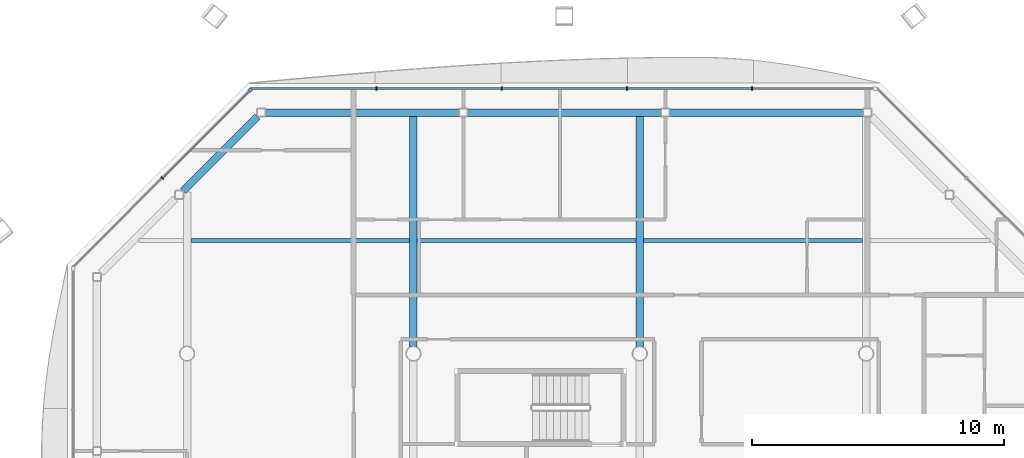
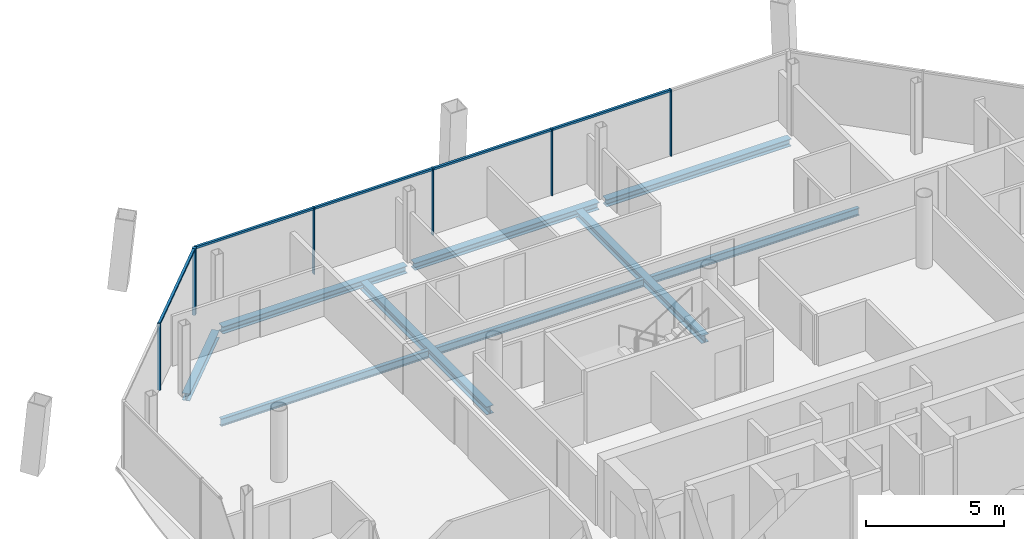
# One storey, part 10 of 19: 11 members, 9 beams, 2 elements without a shape of their own.
"""IFC4 building model written with IfcOpenShell, lengths in metres."""

from ifc_helpers import new_model, si_unit, direction, frame, origin, origin_2d, place, context, subcontext, project, spatial, rectangle, i_section, extrude, material, material_profile, profile_set, type_object, element, aggregate, save


model = new_model("IFC4")

# Units and contexts
model_context = context("Model", 3, precision=1e-05, world=origin(), true_north=direction((0.0, 1.0)))
body_context = subcontext(model_context, "Body", "Model", "MODEL_VIEW")
ifc_project = project(units=[si_unit("LENGTHUNIT", "METRE"), si_unit("AREAUNIT", "SQUARE_METRE"), si_unit("VOLUMEUNIT", "CUBIC_METRE"), si_unit("PLANEANGLEUNIT", "RADIAN"), si_unit("MASSUNIT", "GRAM", prefix="KILO")], contexts=[model_context])

# Site, building, storey
site_placement = place(None, origin())
site = spatial("IfcSite", under=ifc_project, at=site_placement, CompositionType="ELEMENT")
building_placement = place(site_placement, origin())
building = spatial("IfcBuilding", under=site, at=building_placement, Name="Tskaro Facet Tower", CompositionType="ELEMENT")
storey_placement = place(building_placement, frame((0.0, 0.0, 203.699951171875)))
storey = spatial("IfcBuildingStorey", under=building, at=storey_placement, Name="L52", CompositionType="ELEMENT", Elevation=203.699951171875)

# Curtain wall, member
ifc_material_1 = material(Name="Bronze anodised aluminium 6063-T6", Category="aluminium")
curtain_wall_type = type_object("IfcCurtainWallType", Name="Bronze residence curtain wall (FW3)", PredefinedType="NOTDEFINED", material=ifc_material_1)
curtain_wall_1_placement = place(storey_placement, origin())
curtain_wall_1 = element("IfcCurtainWall", 1, at=curtain_wall_1_placement, inside=storey, type_object=curtain_wall_type, Name="FW3 north-west facet L52", PredefinedType="NOTDEFINED")
ifc_material_profile_1 = material_profile(ifc_material_1, rectangle(XDim=0.139892578125, YDim=0.139892578125, at=origin_2d()), Name="Corner post 140x140")
ifc_profile_set_1 = profile_set([ifc_material_profile_1], Name="Bronze anodised aluminium 6063-T6")
member_type_1 = type_object("IfcMemberType", Name="FW3 bronze corner post 140x140", PredefinedType="MULLION", material=ifc_profile_set_1)
member_1_placement = place(storey_placement, frame((-15.488525390625, 19.4833984375, 0.0), z_axis=(0.0, 0.0, 1.0), x_axis=(-0.707106781187, -0.707106781187, 0.0)))
member_1 = element("IfcMember", 2, at=member_1_placement, type_object=member_type_1, Name="FW3 north-west corner post", PredefinedType="MULLION", context=body_context, shape_type="SweptSolid", body=[
    extrude(rectangle(XDim=0.139892578125, YDim=0.139892578125, at=origin_2d()), origin(), (0.0, 0.0, 1.0), 2.949951171875),
])

# Curtain wall, members
curtain_wall_2_placement = place(storey_placement, origin())
curtain_wall_2 = element("IfcCurtainWall", 3, at=curtain_wall_2_placement, inside=storey, type_object=curtain_wall_type, Name="FW3 north facet L52", PredefinedType="NOTDEFINED")
ifc_material_profile_2 = material_profile(ifc_material_1, rectangle(XDim=0.050048828125, YDim=0.139892578125, at=origin_2d()), Name="Mullion 50x140")
ifc_profile_set_2 = profile_set([ifc_material_profile_2], Name="Bronze anodised aluminium 6063-T6")
member_type_2 = type_object("IfcMemberType", Name="FW3 bronze mullion 50x140", PredefinedType="MULLION", material=ifc_profile_set_2)
member_2_placement = place(storey_placement, frame((4.46337890625, 19.532958984375, 0.0), z_axis=(0.0, 0.0, 1.0), x_axis=(-1.0, 0.0, 0.0)))
member_2 = element("IfcMember", 4, at=member_2_placement, type_object=member_type_2, Name="FW3 north mullion 1", PredefinedType="MULLION", context=body_context, shape_type="SweptSolid", body=[
    extrude(rectangle(XDim=0.050048828125, YDim=0.139892578125, at=origin_2d()), origin(), (0.0, 0.0, 1.0), 2.949951171875),
])
member_3_placement = place(storey_placement, frame((-0.51220703125, 19.532958984375, 0.0), z_axis=(0.0, 0.0, 1.0), x_axis=(-1.0, 0.0, 0.0)))
member_3 = element("IfcMember", 5, at=member_3_placement, type_object=member_type_2, Name="FW3 north mullion 2", PredefinedType="MULLION", context=body_context, shape_type="SweptSolid", body=[
    extrude(rectangle(XDim=0.050048828125, YDim=0.139892578125, at=origin_2d()), origin(), (0.0, 0.0, 1.0), 2.949951171875),
])
member_4_placement = place(storey_placement, frame((-5.48779296875, 19.532958984375, 0.0), z_axis=(0.0, 0.0, 1.0), x_axis=(-1.0, 0.0, 0.0)))
member_4 = element("IfcMember", 6, at=member_4_placement, type_object=member_type_2, Name="FW3 north mullion 3", PredefinedType="MULLION", context=body_context, shape_type="SweptSolid", body=[
    extrude(rectangle(XDim=0.050048828125, YDim=0.139892578125, at=origin_2d()), origin(), (0.0, 0.0, 1.0), 2.949951171875),
])
member_5_placement = place(storey_placement, frame((-10.46337890625, 19.532958984375, 0.0), z_axis=(0.0, 0.0, 1.0), x_axis=(-1.0, 0.0, 0.0)))
member_5 = element("IfcMember", 7, at=member_5_placement, type_object=member_type_2, Name="FW3 north mullion 4", PredefinedType="MULLION", context=body_context, shape_type="SweptSolid", body=[
    extrude(rectangle(XDim=0.050048828125, YDim=0.139892578125, at=origin_2d()), origin(), (0.0, 0.0, 1.0), 2.949951171875),
])

# Member
member_6_placement = place(storey_placement, frame((-18.986083984375, 15.986083984375, 0.0), z_axis=(0.0, 0.0, 1.0), x_axis=(-0.707106781187, -0.707106781187, 0.0)))
member_6 = element("IfcMember", 8, at=member_6_placement, type_object=member_type_2, Name="FW3 north-west mullion 1", PredefinedType="MULLION", context=body_context, shape_type="SweptSolid", body=[
    extrude(rectangle(XDim=0.050048828125, YDim=0.139892578125, at=origin_2d()), origin(), (0.0, 0.0, 1.0), 2.949951171875),
])

ifc_material_profile_3 = material_profile(ifc_material_1, rectangle(XDim=0.10009765625, YDim=0.090087890625, at=origin_2d()), Name="Transom 100x90")
ifc_profile_set_3 = profile_set([ifc_material_profile_3], Name="Bronze anodised aluminium 6063-T6")
member_type_3 = type_object("IfcMemberType", Name="FW3 bronze transom 100x90", PredefinedType="USERDEFINED", material=ifc_profile_set_3)
member_7_placement = place(storey_placement, frame((4.4384765625, 19.532958984375, 2.905029296875), z_axis=(-1.0, 0.0, 0.0), x_axis=(0.0, -1.0, 0.0)))
member_7 = element("IfcMember", 9, at=member_7_placement, type_object=member_type_3, Name="FW3 north transom 2.1", ObjectType="TRANSOM", PredefinedType="USERDEFINED", context=body_context, shape_type="SweptSolid", body=[
    extrude(rectangle(XDim=0.10009765625, YDim=0.090087890625, at=origin_2d()), origin(), (0.0, 0.0, 1.0), 4.92578125),
])

member_8_placement = place(storey_placement, frame((-0.537109375, 19.532958984375, 2.905029296875), z_axis=(-1.0, 0.0, 0.0), x_axis=(0.0, -1.0, 0.0)))
member_8 = element("IfcMember", 10, at=member_8_placement, type_object=member_type_3, Name="FW3 north transom 3.1", ObjectType="TRANSOM", PredefinedType="USERDEFINED", context=body_context, shape_type="SweptSolid", body=[
    extrude(rectangle(XDim=0.10009765625, YDim=0.090087890625, at=origin_2d()), origin(), (0.0, 0.0, 1.0), 4.92578125),
])

member_9_placement = place(storey_placement, frame((-5.5126953125, 19.532958984375, 2.905029296875), z_axis=(-1.0, 0.0, 0.0), x_axis=(0.0, -1.0, 0.0)))
member_9 = element("IfcMember", 11, at=member_9_placement, type_object=member_type_3, Name="FW3 north transom 4.1", ObjectType="TRANSOM", PredefinedType="USERDEFINED", context=body_context, shape_type="SweptSolid", body=[
    extrude(rectangle(XDim=0.10009765625, YDim=0.090087890625, at=origin_2d()), origin(), (0.0, 0.0, 1.0), 4.92578125),
])

member_10_placement = place(storey_placement, frame((-10.48828125, 19.532958984375, 2.905029296875), z_axis=(-1.0, 0.0, 0.0), x_axis=(0.0, -1.0, 0.0)))
member_10 = element("IfcMember", 12, at=member_10_placement, type_object=member_type_3, Name="FW3 north transom 5.1", ObjectType="TRANSOM", PredefinedType="USERDEFINED", context=body_context, shape_type="SweptSolid", body=[
    extrude(rectangle(XDim=0.10009765625, YDim=0.090087890625, at=origin_2d()), origin(), (0.0, 0.0, 1.0), 4.95068359375),
])

aggregate(curtain_wall_2, [member_2, member_3, member_4, member_5, member_7, member_8, member_9, member_10])

member_11_placement = place(storey_placement, frame((-15.5380859375, 19.43408203125, 2.905029296875), z_axis=(-0.707081617692, -0.707131943786, 0.0), x_axis=(0.707131943786, -0.707081617692, 0.0)))
member_11 = element("IfcMember", 13, at=member_11_placement, type_object=member_type_3, Name="FW3 north-west transom 1.1", ObjectType="TRANSOM", PredefinedType="USERDEFINED", context=body_context, shape_type="SweptSolid", body=[
    extrude(rectangle(XDim=0.10009765625, YDim=0.090087890625, at=origin_2d()), origin(), (0.0, 0.0, 1.0), 4.85107421875),
])

aggregate(curtain_wall_1, [member_1, member_6, member_11])

# Beams
ifc_material_2 = material(Name="Steel S355J2", Category="steel")
ifc_material_profile_4 = material_profile(ifc_material_2, i_section(OverallWidth=0.300048828125, OverallDepth=0.320068359375, WebThickness=0.011474609375, FlangeThickness=0.0205078125, FilletRadius=0.027099609375, at=origin_2d()), Name="HE 320 B")
ifc_profile_set_4 = profile_set([ifc_material_profile_4], Name="Steel S355J2")
beam_type_1 = type_object("IfcBeamType", Name="HE 320 B ring beam", PredefinedType="BEAM", material=ifc_profile_set_4)
beam_1_placement = place(storey_placement, frame((8.89111328125, 18.5830078125, -0.300048828125), z_axis=(-1.0, 0.0, 0.0), x_axis=(0.0, -1.0, 0.0)))
element("IfcBeam", 14, at=beam_1_placement, inside=storey, type_object=beam_type_1, Name="HE 320 B EB12-4", PredefinedType="BEAM", context=body_context, shape_type="SweptSolid", body=[
    extrude(i_section(OverallWidth=0.300048828125, OverallDepth=0.320068359375, WebThickness=0.011474609375, FlangeThickness=0.0205078125, FilletRadius=0.027099609375, at=origin_2d()), origin(), (0.0, 0.0, 1.0), 7.72119140625),
])
beam_2_placement = place(storey_placement, frame((0.860107421875, 18.5830078125, -0.300048828125), z_axis=(-1.0, 0.0, 0.0), x_axis=(0.0, -1.0, 0.0)))
element("IfcBeam", 15, at=beam_2_placement, inside=storey, type_object=beam_type_1, Name="HE 320 B EB13-4", PredefinedType="BEAM", context=body_context, shape_type="SweptSolid", body=[
    extrude(i_section(OverallWidth=0.300048828125, OverallDepth=0.320068359375, WebThickness=0.011474609375, FlangeThickness=0.0205078125, FilletRadius=0.027099609375, at=origin_2d()), origin(), (0.0, 0.0, 1.0), 7.72021484375),
])
beam_3_placement = place(storey_placement, frame((-7.169921875, 18.5830078125, -0.300048828125), z_axis=(-1.0, 0.0, 0.0), x_axis=(0.0, -1.0, 0.0)))
element("IfcBeam", 16, at=beam_3_placement, inside=storey, type_object=beam_type_1, Name="HE 320 B EB14-4", PredefinedType="BEAM", context=body_context, shape_type="SweptSolid", body=[
    extrude(i_section(OverallWidth=0.300048828125, OverallDepth=0.320068359375, WebThickness=0.011474609375, FlangeThickness=0.0205078125, FilletRadius=0.027099609375, at=origin_2d()), origin(), (0.0, 0.0, 1.0), 7.72119140625),
])
beam_4_placement = place(storey_placement, frame((-15.206787109375, 18.422119140625, -0.300048828125), z_axis=(-0.706989603829, -0.70722393913, 0.0), x_axis=(0.70722393913, -0.706989603829, 0.0)))
element("IfcBeam", 17, at=beam_4_placement, inside=storey, type_object=beam_type_1, Name="HE 320 B EB15-4", PredefinedType="BEAM", context=body_context, shape_type="SweptSolid", body=[
    extrude(i_section(OverallWidth=0.300048828125, OverallDepth=0.320068359375, WebThickness=0.011474609375, FlangeThickness=0.0205078125, FilletRadius=0.027099609375, at=origin_2d()), origin(), (0.0, 0.0, 1.0), 4.16748046875),
])
ifc_material_profile_5 = material_profile(ifc_material_2, i_section(OverallWidth=0.300048828125, OverallDepth=0.35009765625, WebThickness=0.010009765625, FlangeThickness=0.017578125, FilletRadius=0.027099609375, at=origin_2d()), Name="HE 360 A")
ifc_profile_set_5 = profile_set([ifc_material_profile_5], Name="Steel S355J2")
beam_type_2 = type_object("IfcBeamType", Name="HE 360 A girder", PredefinedType="BEAM", material=ifc_profile_set_5)
for number, where, z_axis, x_axis, name in (
    (18, (-9.0, 9.27490234375, -0.31494140625), (0.0, 1.0, 0.0), (-1.0, 0.0, 0.0), "HE 360 A GB3-3-4"),
    (19, (0.0, 9.27490234375, -0.31494140625), (0.0, 1.0, 0.0), (-1.0, 0.0, 0.0), "HE 360 A GB4-3-4"),
):
    element("IfcBeam", number, at=place(storey_placement, frame(where, z_axis=z_axis, x_axis=x_axis)), inside=storey, type_object=beam_type_2, Name=name, PredefinedType="BEAM", context=body_context, shape_type="SweptSolid", body=[
        extrude(i_section(OverallWidth=0.300048828125, OverallDepth=0.35009765625, WebThickness=0.010009765625, FlangeThickness=0.017578125, FilletRadius=0.027099609375, at=origin_2d()), origin(), (0.0, 0.0, 1.0), 9.158203125),
    ])
ifc_material_profile_6 = material_profile(ifc_material_2, i_section(OverallWidth=0.159912109375, OverallDepth=0.330078125, WebThickness=0.007568359375, FlangeThickness=0.011474609375, FilletRadius=0.01806640625, at=origin_2d()), Name="IPE 330")
ifc_profile_set_6 = profile_set([ifc_material_profile_6], Name="Steel S355J2")
beam_type_3 = type_object("IfcBeamType", Name="IPE 330 secondary beam", PredefinedType="BEAM", material=ifc_profile_set_6)
for number, where, z_axis, x_axis, name in (
    (20, (-17.85009765625, 13.5, -0.304931640625), (1.0, 0.0, 0.0), (0.0, 1.0, 0.0), "IPE 330 SB5a-2-4"),
    (21, (-8.85009765625, 13.5, -0.304931640625), (1.0, 0.0, 0.0), (0.0, 1.0, 0.0), "IPE 330 SB5a-3-4"),
    (22, (0.14990234375, 13.5, -0.304931640625), (1.0, 0.0, 0.0), (0.0, 1.0, 0.0), "IPE 330 SB5a-4-4"),
):
    element("IfcBeam", number, at=place(storey_placement, frame(where, z_axis=z_axis, x_axis=x_axis)), inside=storey, type_object=beam_type_3, Name=name, PredefinedType="BEAM", context=body_context, shape_type="SweptSolid", body=[
        extrude(i_section(OverallWidth=0.159912109375, OverallDepth=0.330078125, WebThickness=0.007568359375, FlangeThickness=0.011474609375, FilletRadius=0.01806640625, at=origin_2d()), origin(), (0.0, 0.0, 1.0), 8.7001953125),
    ])

save(model, "model.ifc")
